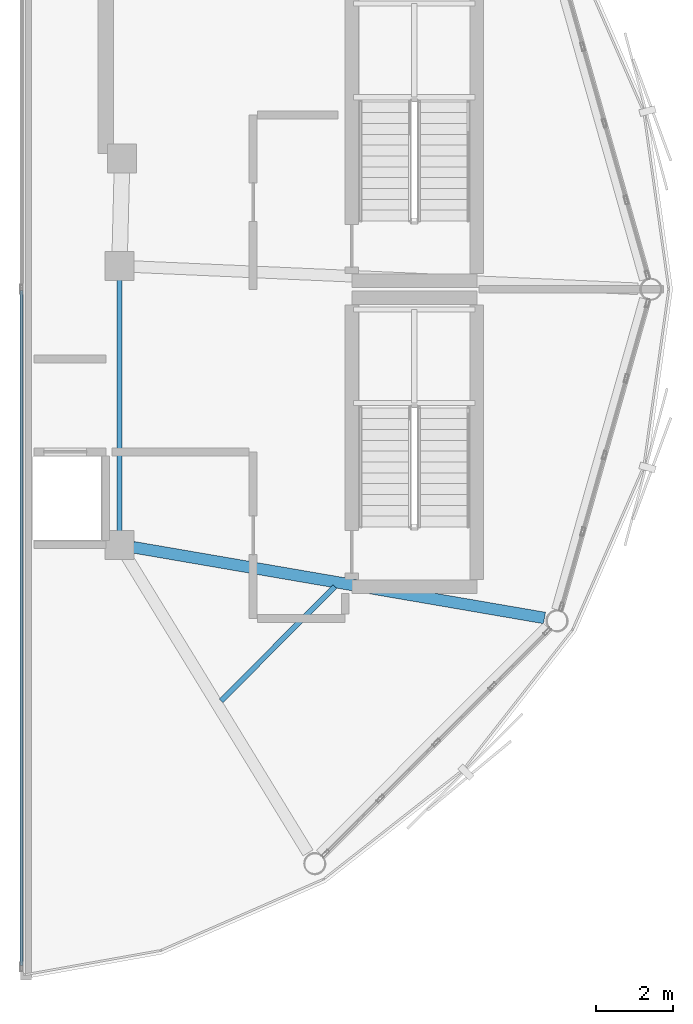
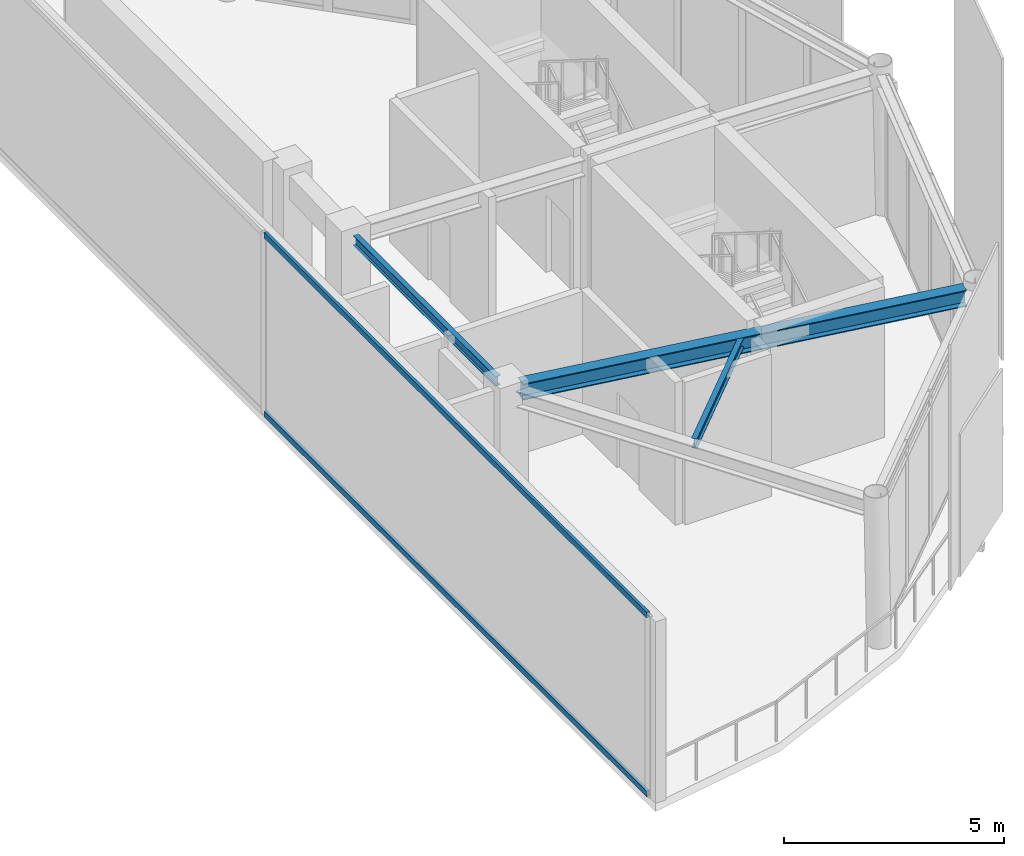
# One storey, part 3 of 13: 3 beams, 2 members, 1 element without a shape of its own.
"""IFC4 building model written with IfcOpenShell, lengths in metres."""

from ifc_helpers import new_model, si_unit, direction, frame, origin, origin_2d, place, context, subcontext, project, spatial, hollow_rectangle, i_section, extrude, material, layer, layer_set, material_profile, profile_set, type_object, element, aggregate, save


model = new_model("IFC4")

# Units and contexts
model_context = context("Model", 3, precision=1e-05, world=origin(), true_north=direction((0.0, 1.0)))
body_context = subcontext(model_context, "Body", "Model", "MODEL_VIEW")
ifc_project = project(units=[si_unit("LENGTHUNIT", "METRE"), si_unit("AREAUNIT", "SQUARE_METRE"), si_unit("VOLUMEUNIT", "CUBIC_METRE"), si_unit("PLANEANGLEUNIT", "RADIAN"), si_unit("MASSUNIT", "GRAM", prefix="KILO")], contexts=[model_context])

# Site, building, storey
site_placement = place(None, origin())
site = spatial("IfcSite", under=ifc_project, at=site_placement, CompositionType="ELEMENT")
building_placement = place(site_placement, origin())
building = spatial("IfcBuilding", under=site, at=building_placement, Name="Varnakorn Sky Granary", CompositionType="ELEMENT")
storey_placement = place(building_placement, frame((0.0, 0.0, 315.0)))
storey = spatial("IfcBuildingStorey", under=building, at=storey_placement, Name="L80", CompositionType="ELEMENT", Elevation=315.0)

# Beams
ifc_material_1 = material(Name="Steel S355JR", Category="steel")
ifc_material_profile_1 = material_profile(ifc_material_1, i_section(OverallWidth=0.300048828125, OverallDepth=0.449951171875, WebThickness=0.013916015625, FlangeThickness=0.02587890625, at=origin_2d()), Name="HE 450 B")
ifc_profile_set_1 = profile_set([ifc_material_profile_1], Name="Steel S355JR")
beam_type_1 = type_object("IfcBeamType", Name="BM-RAD-Z5", PredefinedType="BEAM", material=ifc_profile_set_1)
beam_1_placement = place(storey_placement, frame((8.699951171875, -6.66015625, 3.735107421875), z_axis=(0.985525548164, -0.16952697106, 0.0), x_axis=(0.16952697106, 0.985525548164, 0.0)))
element("IfcBeam", 1, at=beam_1_placement, inside=storey, type_object=beam_type_1, Name="Radial Floor Girder RG12 L80", PredefinedType="BEAM", context=body_context, shape_type="SweptSolid", body=[
    extrude(i_section(OverallWidth=0.300048828125, OverallDepth=0.449951171875, WebThickness=0.013916015625, FlangeThickness=0.02587890625, at=origin_2d()), origin(), (0.0, 0.0, 1.0), 10.78076171875),
])
ifc_material_profile_2 = material_profile(ifc_material_1, i_section(OverallWidth=0.135009765625, OverallDepth=0.27001953125, WebThickness=0.006591796875, FlangeThickness=0.01025390625, at=origin_2d()), Name="IPE 270")
ifc_profile_set_2 = profile_set([ifc_material_profile_2], Name="Steel S355JR")
beam_type_2 = type_object("IfcBeamType", Name="BM-SEC-Z5", PredefinedType="BEAM", material=ifc_profile_set_2)
beam_2_placement = place(storey_placement, frame((10.97607421875, -10.628662109375, 3.824951171875), z_axis=(0.704935687341, 0.709271229301, 0.0), x_axis=(-0.709271229301, 0.704935687341, 0.0)))
element("IfcBeam", 2, at=beam_2_placement, inside=storey, type_object=beam_type_2, Name="Secondary Floor Chord Beam MSB11 L80", PredefinedType="BEAM", context=body_context, shape_type="SweptSolid", body=[
    extrude(i_section(OverallWidth=0.135009765625, OverallDepth=0.27001953125, WebThickness=0.006591796875, FlangeThickness=0.01025390625, at=origin_2d()), origin(), (0.0, 0.0, 1.0), 4.1669921875),
])
beam_3_placement = place(storey_placement, frame((8.35009765625, 0.2451171875, 3.824951171875), z_axis=(0.0, -1.0, 0.0), x_axis=(1.0, 0.0, 0.0)))
element("IfcBeam", 3, at=beam_3_placement, inside=storey, type_object=beam_type_2, Name="Core Spine Framing Beam 4 L80", PredefinedType="BEAM", context=body_context, shape_type="SweptSolid", body=[
    extrude(i_section(OverallWidth=0.135009765625, OverallDepth=0.27001953125, WebThickness=0.006591796875, FlangeThickness=0.01025390625, at=origin_2d()), origin(), (0.0, 0.0, 1.0), 6.490234375),
])

# Curtain wall, members
ifc_material_2 = material(Name="Anodised Bronze Aluminium Alloy 6063-T6", Category="aluminium")
ifc_layer = layer(ifc_material_2, 0.22998046875, Name="Anodised Bronze Aluminium Alloy 6063-T6")
ifc_layer_set = layer_set([ifc_layer], Name="Anodised Bronze Aluminium Alloy 6063-T6")
curtain_wall_type = type_object("IfcCurtainWallType", Name="CW-LNT-1", PredefinedType="USERDEFINED", material=ifc_layer_set)
curtain_wall_placement = place(storey_placement, origin())
curtain_wall = element("IfcCurtainWall", 4, at=curtain_wall_placement, inside=storey, type_object=curtain_wall_type, Name="Unitised Curtain Wall CW7 CW-L80-SLANT", ObjectType="CURTAIN WALL", PredefinedType="USERDEFINED")
ifc_material_profile_3 = material_profile(ifc_material_2, hollow_rectangle(XDim=0.074951171875, YDim=0.159912109375, WallThickness=0.00390625, at=origin_2d()), Name="ALU TRAN 75x160")
ifc_profile_set_3 = profile_set([ifc_material_profile_3], Name="Anodised Bronze Aluminium Alloy 6063-T6")
member_type = type_object("IfcMemberType", Name="CW-LNT-1-TRAN", PredefinedType="USERDEFINED", material=ifc_profile_set_3)
member_1_placement = place(storey_placement, frame((5.820068359375, -17.46044921875, 0.03759765625), z_axis=(0.0, 1.0, 0.0), x_axis=(-1.0, 0.0, 0.0)))
member_1 = element("IfcMember", 5, at=member_1_placement, type_object=member_type, Name="CW7 transom 1.1", ObjectType="TRANSOM", PredefinedType="USERDEFINED", context=body_context, shape_type="SweptSolid", body=[
    extrude(hollow_rectangle(XDim=0.074951171875, YDim=0.159912109375, WallThickness=0.00390625, at=origin_2d()), origin(), (0.0, 0.0, 1.0), 17.4228515625),
])
member_2_placement = place(storey_placement, frame((5.820068359375, -17.46044921875, 5.00634765625), z_axis=(0.0, 1.0, 0.0), x_axis=(-1.0, 0.0, 0.0)))
member_2 = element("IfcMember", 6, at=member_2_placement, type_object=member_type, Name="CW7 transom 1.2", ObjectType="TRANSOM", PredefinedType="USERDEFINED", context=body_context, shape_type="SweptSolid", body=[
    extrude(hollow_rectangle(XDim=0.074951171875, YDim=0.159912109375, WallThickness=0.00390625, at=origin_2d()), origin(), (0.0, 0.0, 1.0), 17.4228515625),
])
aggregate(curtain_wall, [member_1, member_2])

save(model, "model.ifc")
